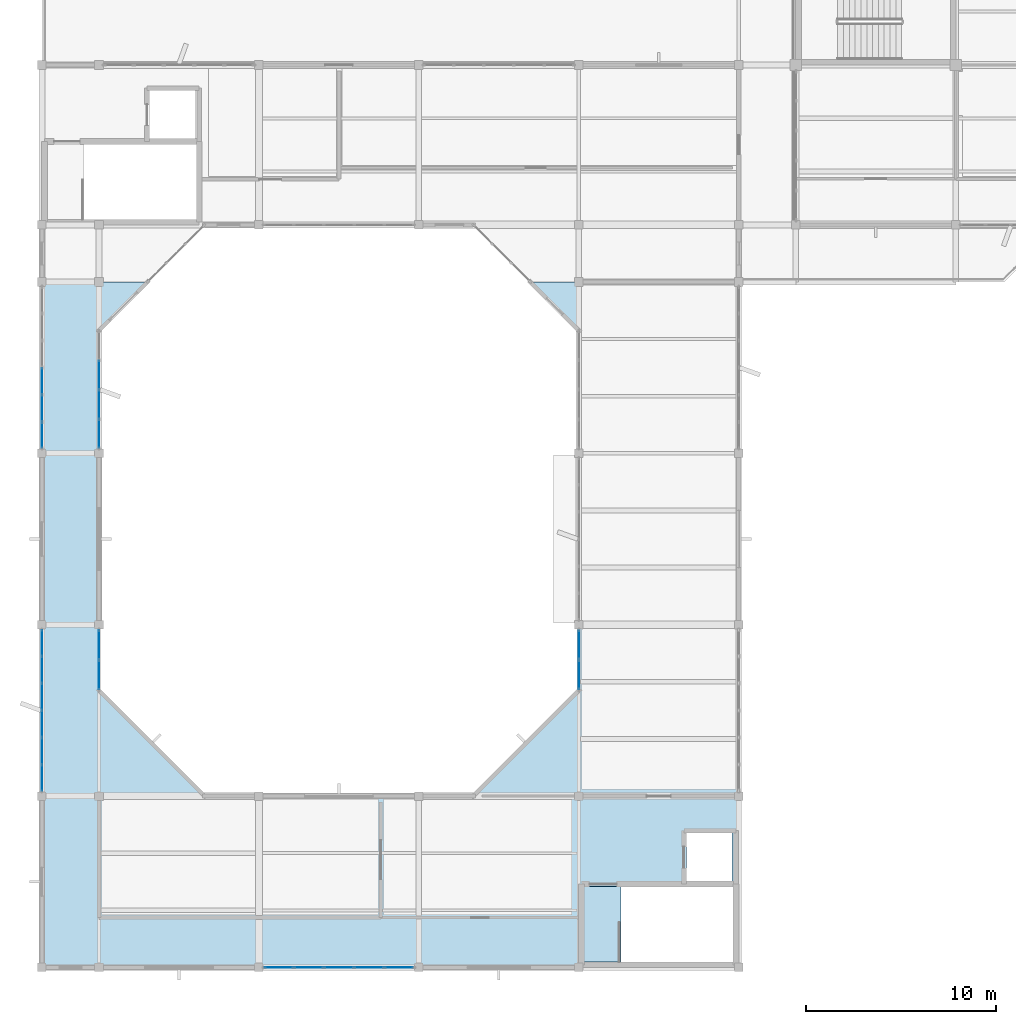
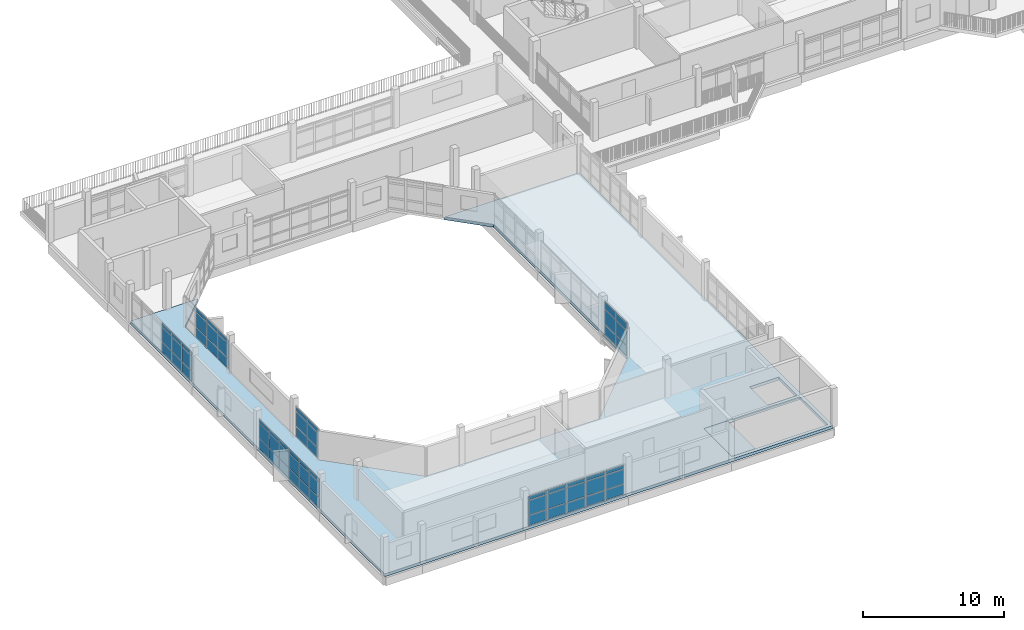
# One storey, part 15 of 33: 63 plates, 2 slabs, 6 elements without a shape of their own.
"""IFC4 building model written with IfcOpenShell, lengths in metres."""

from ifc_helpers import new_model, si_unit, direction, frame, origin, origin_2d, place, context, subcontext, project, spatial, polyline, rectangle, outline, extrude, material, layer, layer_set, type_object, element, aggregate, save


model = new_model("IFC4")

# Units and contexts
model_context = context("Model", 3, precision=1e-05, world=origin(), true_north=direction((0.0, 1.0)))
body_context = subcontext(model_context, "Body", "Model", "MODEL_VIEW")
ifc_project = project(units=[si_unit("LENGTHUNIT", "METRE"), si_unit("AREAUNIT", "SQUARE_METRE"), si_unit("VOLUMEUNIT", "CUBIC_METRE"), si_unit("PLANEANGLEUNIT", "RADIAN"), si_unit("MASSUNIT", "GRAM", prefix="KILO")], contexts=[model_context])

# Site, building, storey
site_placement = place(None, origin())
site = spatial("IfcSite", under=ifc_project, at=site_placement, CompositionType="ELEMENT")
building_placement = place(site_placement, origin())
building = spatial("IfcBuilding", under=site, at=building_placement, Name="Vanh Quang Courtyard School", CompositionType="ELEMENT")
storey_placement = place(building_placement, frame((0.0, 0.0, 18.60009765625)))
storey = spatial("IfcBuildingStorey", under=building, at=storey_placement, Name="L05", CompositionType="ELEMENT", Elevation=18.60009765625)

# Curtain wall, plates
ifc_material_1 = material(Name="Thermally broken aluminium unitised curtain wall", Category="aluminium")
curtain_wall_type_1 = type_object("IfcCurtainWallType", Name="CW-SYS-50", PredefinedType="NOTDEFINED", material=ifc_material_1)
curtain_wall_1_placement = place(storey_placement, origin())
curtain_wall_1 = element("IfcCurtainWall", 1, at=curtain_wall_1_placement, inside=storey, type_object=curtain_wall_type_1, Name="Curtain Wall CW-50 (L05)", PredefinedType="NOTDEFINED")
ifc_material_2 = material(Name="Low-E laminated double glazing", Category="glass")
ifc_layer_1 = layer(ifc_material_2, 0.028076171875)
ifc_layer_set_1 = layer_set([ifc_layer_1], Name="Low-E laminated double glazing")
plate_type_1 = type_object("IfcPlateType", Name="CW-PNL-28", PredefinedType="CURTAIN_PANEL", material=ifc_layer_set_1)
plate_1_placement = place(storey_placement, frame((37.800048828125, 42.359130859375, 0.06005859375), z_axis=(0.0, 0.0, 1.0), x_axis=(0.0, 1.0, 0.0)))
plate_1 = element("IfcPlate", 2, at=plate_1_placement, type_object=plate_type_1, Name="CW-50 panel 1.1", PredefinedType="CURTAIN_PANEL", context=body_context, shape_type="SweptSolid", body=[
    extrude(rectangle(XDim=1.332275390625, YDim=0.028076171875, at=origin_2d()), origin(), (0.0, 0.0, 1.0), 0.860107421875),
])
plate_2_placement = place(storey_placement, frame((37.800048828125, 42.359130859375, 0.97998046875), z_axis=(0.0, 0.0, 1.0), x_axis=(0.0, 1.0, 0.0)))
plate_2 = element("IfcPlate", 3, at=plate_2_placement, type_object=plate_type_1, Name="CW-50 panel 1.2", PredefinedType="CURTAIN_PANEL", context=body_context, shape_type="SweptSolid", body=[
    extrude(rectangle(XDim=1.332275390625, YDim=0.028076171875, at=origin_2d()), origin(), (0.0, 0.0, 1.0), 1.239990234375),
])
plate_3_placement = place(storey_placement, frame((37.800048828125, 42.359130859375, 2.27978515625), z_axis=(0.0, 0.0, 1.0), x_axis=(0.0, 1.0, 0.0)))
plate_3 = element("IfcPlate", 4, at=plate_3_placement, type_object=plate_type_1, Name="CW-50 panel 1.3", PredefinedType="CURTAIN_PANEL", context=body_context, shape_type="SweptSolid", body=[
    extrude(rectangle(XDim=1.332275390625, YDim=0.028076171875, at=origin_2d()), origin(), (0.0, 0.0, 1.0), 0.31005859375),
])
plate_4_placement = place(storey_placement, frame((37.800048828125, 43.7666015625, 0.06005859375), z_axis=(0.0, 0.0, 1.0), x_axis=(0.0, 1.0, 0.0)))
plate_4 = element("IfcPlate", 5, at=plate_4_placement, type_object=plate_type_1, Name="CW-50 panel 2.1", PredefinedType="CURTAIN_PANEL", context=body_context, shape_type="SweptSolid", body=[
    extrude(rectangle(XDim=1.3623046875, YDim=0.028076171875, at=origin_2d()), origin(), (0.0, 0.0, 1.0), 0.860107421875),
])
plate_5_placement = place(storey_placement, frame((37.800048828125, 43.7666015625, 0.97998046875), z_axis=(0.0, 0.0, 1.0), x_axis=(0.0, 1.0, 0.0)))
plate_5 = element("IfcPlate", 6, at=plate_5_placement, type_object=plate_type_1, Name="CW-50 panel 2.2", PredefinedType="CURTAIN_PANEL", context=body_context, shape_type="SweptSolid", body=[
    extrude(rectangle(XDim=1.3623046875, YDim=0.028076171875, at=origin_2d()), origin(), (0.0, 0.0, 1.0), 1.239990234375),
])
plate_6_placement = place(storey_placement, frame((37.800048828125, 43.7666015625, 2.27978515625), z_axis=(0.0, 0.0, 1.0), x_axis=(0.0, 1.0, 0.0)))
plate_6 = element("IfcPlate", 7, at=plate_6_placement, type_object=plate_type_1, Name="CW-50 panel 2.3", PredefinedType="CURTAIN_PANEL", context=body_context, shape_type="SweptSolid", body=[
    extrude(rectangle(XDim=1.3623046875, YDim=0.028076171875, at=origin_2d()), origin(), (0.0, 0.0, 1.0), 0.31005859375),
])
plate_7_placement = place(storey_placement, frame((37.800048828125, 45.188720703125, 0.06005859375), z_axis=(0.0, 0.0, 1.0), x_axis=(0.0, 1.0, 0.0)))
plate_7 = element("IfcPlate", 8, at=plate_7_placement, type_object=plate_type_1, Name="CW-50 panel 3.1", PredefinedType="CURTAIN_PANEL", context=body_context, shape_type="SweptSolid", body=[
    extrude(rectangle(XDim=1.3623046875, YDim=0.028076171875, at=origin_2d()), origin(), (0.0, 0.0, 1.0), 0.860107421875),
])
plate_8_placement = place(storey_placement, frame((37.800048828125, 45.188720703125, 0.97998046875), z_axis=(0.0, 0.0, 1.0), x_axis=(0.0, 1.0, 0.0)))
plate_8 = element("IfcPlate", 9, at=plate_8_placement, type_object=plate_type_1, Name="CW-50 panel 3.2", PredefinedType="CURTAIN_PANEL", context=body_context, shape_type="SweptSolid", body=[
    extrude(rectangle(XDim=1.3623046875, YDim=0.028076171875, at=origin_2d()), origin(), (0.0, 0.0, 1.0), 1.239990234375),
])
plate_9_placement = place(storey_placement, frame((37.800048828125, 45.188720703125, 2.27978515625), z_axis=(0.0, 0.0, 1.0), x_axis=(0.0, 1.0, 0.0)))
plate_9 = element("IfcPlate", 10, at=plate_9_placement, type_object=plate_type_1, Name="CW-50 panel 3.3", PredefinedType="CURTAIN_PANEL", context=body_context, shape_type="SweptSolid", body=[
    extrude(rectangle(XDim=1.3623046875, YDim=0.028076171875, at=origin_2d()), origin(), (0.0, 0.0, 1.0), 0.31005859375),
])
plate_10_placement = place(storey_placement, frame((37.800048828125, 46.611083984375, 0.06005859375), z_axis=(0.0, 0.0, 1.0), x_axis=(0.0, 1.0, 0.0)))
plate_10 = element("IfcPlate", 11, at=plate_10_placement, type_object=plate_type_1, Name="CW-50 panel 4.1", PredefinedType="CURTAIN_PANEL", context=body_context, shape_type="SweptSolid", body=[
    extrude(rectangle(XDim=1.3623046875, YDim=0.028076171875, at=origin_2d()), origin(), (0.0, 0.0, 1.0), 0.860107421875),
])
plate_11_placement = place(storey_placement, frame((37.800048828125, 46.611083984375, 0.97998046875), z_axis=(0.0, 0.0, 1.0), x_axis=(0.0, 1.0, 0.0)))
plate_11 = element("IfcPlate", 12, at=plate_11_placement, type_object=plate_type_1, Name="CW-50 panel 4.2", PredefinedType="CURTAIN_PANEL", context=body_context, shape_type="SweptSolid", body=[
    extrude(rectangle(XDim=1.3623046875, YDim=0.028076171875, at=origin_2d()), origin(), (0.0, 0.0, 1.0), 1.239990234375),
])
plate_12_placement = place(storey_placement, frame((37.800048828125, 46.611083984375, 2.27978515625), z_axis=(0.0, 0.0, 1.0), x_axis=(0.0, 1.0, 0.0)))
plate_12 = element("IfcPlate", 13, at=plate_12_placement, type_object=plate_type_1, Name="CW-50 panel 4.3", PredefinedType="CURTAIN_PANEL", context=body_context, shape_type="SweptSolid", body=[
    extrude(rectangle(XDim=1.3623046875, YDim=0.028076171875, at=origin_2d()), origin(), (0.0, 0.0, 1.0), 0.31005859375),
])
plate_13_placement = place(storey_placement, frame((37.800048828125, 48.033447265625, 0.06005859375), z_axis=(0.0, 0.0, 1.0), x_axis=(0.0, 1.0, 0.0)))
plate_13 = element("IfcPlate", 14, at=plate_13_placement, type_object=plate_type_1, Name="CW-50 panel 5.1", PredefinedType="CURTAIN_PANEL", context=body_context, shape_type="SweptSolid", body=[
    extrude(rectangle(XDim=1.3623046875, YDim=0.028076171875, at=origin_2d()), origin(), (0.0, 0.0, 1.0), 0.860107421875),
])
plate_14_placement = place(storey_placement, frame((37.800048828125, 48.033447265625, 0.97998046875), z_axis=(0.0, 0.0, 1.0), x_axis=(0.0, 1.0, 0.0)))
plate_14 = element("IfcPlate", 15, at=plate_14_placement, type_object=plate_type_1, Name="CW-50 panel 5.2", PredefinedType="CURTAIN_PANEL", context=body_context, shape_type="SweptSolid", body=[
    extrude(rectangle(XDim=1.3623046875, YDim=0.028076171875, at=origin_2d()), origin(), (0.0, 0.0, 1.0), 1.239990234375),
])
plate_15_placement = place(storey_placement, frame((37.800048828125, 48.033447265625, 2.27978515625), z_axis=(0.0, 0.0, 1.0), x_axis=(0.0, 1.0, 0.0)))
plate_15 = element("IfcPlate", 16, at=plate_15_placement, type_object=plate_type_1, Name="CW-50 panel 5.3", PredefinedType="CURTAIN_PANEL", context=body_context, shape_type="SweptSolid", body=[
    extrude(rectangle(XDim=1.3623046875, YDim=0.028076171875, at=origin_2d()), origin(), (0.0, 0.0, 1.0), 0.31005859375),
])
plate_16_placement = place(storey_placement, frame((37.800048828125, 49.44091796875, 0.06005859375), z_axis=(0.0, 0.0, 1.0), x_axis=(0.0, 1.0, 0.0)))
plate_16 = element("IfcPlate", 17, at=plate_16_placement, type_object=plate_type_1, Name="CW-50 panel 6.1", PredefinedType="CURTAIN_PANEL", context=body_context, shape_type="SweptSolid", body=[
    extrude(rectangle(XDim=1.332275390625, YDim=0.028076171875, at=origin_2d()), origin(), (0.0, 0.0, 1.0), 0.860107421875),
])
plate_17_placement = place(storey_placement, frame((37.800048828125, 49.44091796875, 0.97998046875), z_axis=(0.0, 0.0, 1.0), x_axis=(0.0, 1.0, 0.0)))
plate_17 = element("IfcPlate", 18, at=plate_17_placement, type_object=plate_type_1, Name="CW-50 panel 6.2", PredefinedType="CURTAIN_PANEL", context=body_context, shape_type="SweptSolid", body=[
    extrude(rectangle(XDim=1.332275390625, YDim=0.028076171875, at=origin_2d()), origin(), (0.0, 0.0, 1.0), 1.239990234375),
])
plate_18_placement = place(storey_placement, frame((37.800048828125, 49.44091796875, 2.27978515625), z_axis=(0.0, 0.0, 1.0), x_axis=(0.0, 1.0, 0.0)))
plate_18 = element("IfcPlate", 19, at=plate_18_placement, type_object=plate_type_1, Name="CW-50 panel 6.3", PredefinedType="CURTAIN_PANEL", context=body_context, shape_type="SweptSolid", body=[
    extrude(rectangle(XDim=1.332275390625, YDim=0.028076171875, at=origin_2d()), origin(), (0.0, 0.0, 1.0), 0.31005859375),
])
aggregate(curtain_wall_1, [plate_1, plate_2, plate_3, plate_4, plate_5, plate_6, plate_7, plate_8, plate_9, plate_10, plate_11, plate_12, plate_13, plate_14, plate_15, plate_16, plate_17, plate_18])

curtain_wall_type_2 = type_object("IfcCurtainWallType", Name="CW-SYS-44", PredefinedType="NOTDEFINED", material=ifc_material_1)
curtain_wall_2_placement = place(storey_placement, origin())
curtain_wall_2 = element("IfcCurtainWall", 20, at=curtain_wall_2_placement, inside=storey, type_object=curtain_wall_type_2, Name="Curtain Wall CW-44 (L05)", PredefinedType="NOTDEFINED")
plate_19_placement = place(storey_placement, frame((40.800048828125, 63.5224609375, 0.06005859375), z_axis=(0.0, 0.0, 1.0), x_axis=(0.0, -1.0, 0.0)))
plate_19 = element("IfcPlate", 21, at=plate_19_placement, type_object=plate_type_1, Name="CW-44 panel 2.1", PredefinedType="CURTAIN_PANEL", context=body_context, shape_type="SweptSolid", body=[
    extrude(rectangle(XDim=1.495849609375, YDim=0.028076171875, at=origin_2d()), origin(), (0.0, 0.0, 1.0), 0.860107421875),
])
plate_20_placement = place(storey_placement, frame((40.800048828125, 63.5224609375, 0.97998046875), z_axis=(0.0, 0.0, 1.0), x_axis=(0.0, -1.0, 0.0)))
plate_20 = element("IfcPlate", 22, at=plate_20_placement, type_object=plate_type_1, Name="CW-44 panel 2.2", PredefinedType="CURTAIN_PANEL", context=body_context, shape_type="SweptSolid", body=[
    extrude(rectangle(XDim=1.495849609375, YDim=0.028076171875, at=origin_2d()), origin(), (0.0, 0.0, 1.0), 1.239990234375),
])
plate_21_placement = place(storey_placement, frame((40.800048828125, 63.5224609375, 2.27978515625), z_axis=(0.0, 0.0, 1.0), x_axis=(0.0, -1.0, 0.0)))
plate_21 = element("IfcPlate", 23, at=plate_21_placement, type_object=plate_type_1, Name="CW-44 panel 2.3", PredefinedType="CURTAIN_PANEL", context=body_context, shape_type="SweptSolid", body=[
    extrude(rectangle(XDim=1.495849609375, YDim=0.028076171875, at=origin_2d()), origin(), (0.0, 0.0, 1.0), 0.31005859375),
])
plate_22_placement = place(storey_placement, frame((40.800048828125, 61.966552734375, 0.06005859375), z_axis=(0.0, 0.0, 1.0), x_axis=(0.0, -1.0, 0.0)))
plate_22 = element("IfcPlate", 24, at=plate_22_placement, type_object=plate_type_1, Name="CW-44 panel 3.1", PredefinedType="CURTAIN_PANEL", context=body_context, shape_type="SweptSolid", body=[
    extrude(rectangle(XDim=1.495849609375, YDim=0.028076171875, at=origin_2d()), origin(), (0.0, 0.0, 1.0), 0.860107421875),
])
plate_23_placement = place(storey_placement, frame((40.800048828125, 61.966552734375, 0.97998046875), z_axis=(0.0, 0.0, 1.0), x_axis=(0.0, -1.0, 0.0)))
plate_23 = element("IfcPlate", 25, at=plate_23_placement, type_object=plate_type_1, Name="CW-44 panel 3.2", PredefinedType="CURTAIN_PANEL", context=body_context, shape_type="SweptSolid", body=[
    extrude(rectangle(XDim=1.495849609375, YDim=0.028076171875, at=origin_2d()), origin(), (0.0, 0.0, 1.0), 1.239990234375),
])
plate_24_placement = place(storey_placement, frame((40.800048828125, 61.966552734375, 2.27978515625), z_axis=(0.0, 0.0, 1.0), x_axis=(0.0, -1.0, 0.0)))
plate_24 = element("IfcPlate", 26, at=plate_24_placement, type_object=plate_type_1, Name="CW-44 panel 3.3", PredefinedType="CURTAIN_PANEL", context=body_context, shape_type="SweptSolid", body=[
    extrude(rectangle(XDim=1.495849609375, YDim=0.028076171875, at=origin_2d()), origin(), (0.0, 0.0, 1.0), 0.31005859375),
])
plate_25_placement = place(storey_placement, frame((40.800048828125, 60.42578125, 0.06005859375), z_axis=(0.0, 0.0, 1.0), x_axis=(0.0, -1.0, 0.0)))
plate_25 = element("IfcPlate", 27, at=plate_25_placement, type_object=plate_type_1, Name="CW-44 panel 4.1", PredefinedType="CURTAIN_PANEL", context=body_context, shape_type="SweptSolid", body=[
    extrude(rectangle(XDim=1.4658203125, YDim=0.028076171875, at=origin_2d()), origin(), (0.0, 0.0, 1.0), 0.860107421875),
])
plate_26_placement = place(storey_placement, frame((40.800048828125, 60.42578125, 0.97998046875), z_axis=(0.0, 0.0, 1.0), x_axis=(0.0, -1.0, 0.0)))
plate_26 = element("IfcPlate", 28, at=plate_26_placement, type_object=plate_type_1, Name="CW-44 panel 4.2", PredefinedType="CURTAIN_PANEL", context=body_context, shape_type="SweptSolid", body=[
    extrude(rectangle(XDim=1.4658203125, YDim=0.028076171875, at=origin_2d()), origin(), (0.0, 0.0, 1.0), 1.239990234375),
])
plate_27_placement = place(storey_placement, frame((40.800048828125, 60.42578125, 2.27978515625), z_axis=(0.0, 0.0, 1.0), x_axis=(0.0, -1.0, 0.0)))
plate_27 = element("IfcPlate", 29, at=plate_27_placement, type_object=plate_type_1, Name="CW-44 panel 4.3", PredefinedType="CURTAIN_PANEL", context=body_context, shape_type="SweptSolid", body=[
    extrude(rectangle(XDim=1.4658203125, YDim=0.028076171875, at=origin_2d()), origin(), (0.0, 0.0, 1.0), 0.31005859375),
])
aggregate(curtain_wall_2, [plate_19, plate_20, plate_21, plate_22, plate_23, plate_24, plate_25, plate_26, plate_27])

curtain_wall_type_3 = type_object("IfcCurtainWallType", Name="CW-SYS-53", PredefinedType="NOTDEFINED", material=ifc_material_1)
curtain_wall_3_placement = place(storey_placement, origin())
curtain_wall_3 = element("IfcCurtainWall", 30, at=curtain_wall_3_placement, inside=storey, type_object=curtain_wall_type_3, Name="Curtain Wall CW-53 (L05)", PredefinedType="NOTDEFINED")
plate_28_placement = place(storey_placement, frame((66.0, 47.769775390625, 0.079833984375), z_axis=(0.0, 0.0, 1.0), x_axis=(0.0, 1.0, 0.0)))
plate_28 = element("IfcPlate", 31, at=plate_28_placement, type_object=plate_type_1, Name="CW-53 panel 1.1", PredefinedType="CURTAIN_PANEL", context=body_context, shape_type="SweptSolid", body=[
    extrude(rectangle(XDim=1.491455078125, YDim=0.028076171875, at=origin_2d()), origin(), (0.0, 0.0, 1.0), 0.830078125),
])
plate_29_placement = place(storey_placement, frame((66.0, 47.769775390625, 0.98974609375), z_axis=(0.0, 0.0, 1.0), x_axis=(0.0, 1.0, 0.0)))
plate_29 = element("IfcPlate", 32, at=plate_29_placement, type_object=plate_type_1, Name="CW-53 panel 1.2", PredefinedType="CURTAIN_PANEL", context=body_context, shape_type="SweptSolid", body=[
    extrude(rectangle(XDim=1.491455078125, YDim=0.028076171875, at=origin_2d()), origin(), (0.0, 0.0, 1.0), 1.219970703125),
])
plate_30_placement = place(storey_placement, frame((66.0, 47.769775390625, 2.289794921875), z_axis=(0.0, 0.0, 1.0), x_axis=(0.0, 1.0, 0.0)))
plate_30 = element("IfcPlate", 33, at=plate_30_placement, type_object=plate_type_1, Name="CW-53 panel 1.3", PredefinedType="CURTAIN_PANEL", context=body_context, shape_type="SweptSolid", body=[
    extrude(rectangle(XDim=1.491455078125, YDim=0.028076171875, at=origin_2d()), origin(), (0.0, 0.0, 1.0), 0.6201171875),
])
plate_31_placement = place(storey_placement, frame((66.0, 49.34130859375, 0.079833984375), z_axis=(0.0, 0.0, 1.0), x_axis=(0.0, 1.0, 0.0)))
plate_31 = element("IfcPlate", 34, at=plate_31_placement, type_object=plate_type_1, Name="CW-53 panel 2.1", PredefinedType="CURTAIN_PANEL", context=body_context, shape_type="SweptSolid", body=[
    extrude(rectangle(XDim=1.491455078125, YDim=0.028076171875, at=origin_2d()), origin(), (0.0, 0.0, 1.0), 0.830078125),
])
plate_32_placement = place(storey_placement, frame((66.0, 49.34130859375, 0.98974609375), z_axis=(0.0, 0.0, 1.0), x_axis=(0.0, 1.0, 0.0)))
plate_32 = element("IfcPlate", 35, at=plate_32_placement, type_object=plate_type_1, Name="CW-53 panel 2.2", PredefinedType="CURTAIN_PANEL", context=body_context, shape_type="SweptSolid", body=[
    extrude(rectangle(XDim=1.491455078125, YDim=0.028076171875, at=origin_2d()), origin(), (0.0, 0.0, 1.0), 1.219970703125),
])
plate_33_placement = place(storey_placement, frame((66.0, 49.34130859375, 2.289794921875), z_axis=(0.0, 0.0, 1.0), x_axis=(0.0, 1.0, 0.0)))
plate_33 = element("IfcPlate", 36, at=plate_33_placement, type_object=plate_type_1, Name="CW-53 panel 2.3", PredefinedType="CURTAIN_PANEL", context=body_context, shape_type="SweptSolid", body=[
    extrude(rectangle(XDim=1.491455078125, YDim=0.028076171875, at=origin_2d()), origin(), (0.0, 0.0, 1.0), 0.6201171875),
])
aggregate(curtain_wall_3, [plate_28, plate_29, plate_30, plate_31, plate_32, plate_33])

curtain_wall_type_4 = type_object("IfcCurtainWallType", Name="CW-SYS-19", PredefinedType="NOTDEFINED", material=ifc_material_1)
curtain_wall_4_placement = place(storey_placement, origin())
curtain_wall_4 = element("IfcCurtainWall", 37, at=curtain_wall_4_placement, inside=storey, type_object=curtain_wall_type_4, Name="Curtain Wall CW-19 (L05)", PredefinedType="NOTDEFINED")
ifc_layer_2 = layer(ifc_material_2, 0.031982421875)
ifc_layer_set_2 = layer_set([ifc_layer_2], Name="Low-E laminated double glazing")
plate_type_2 = type_object("IfcPlateType", Name="CW-PNL-32", PredefinedType="CURTAIN_PANEL", material=ifc_layer_set_2)
plate_34_placement = place(storey_placement, frame((56.5537109375, 32.39990234375, 0.079833984375), z_axis=(0.0, 0.0, 1.0), x_axis=(-1.0, 0.0, 0.0)))
plate_34 = element("IfcPlate", 38, at=plate_34_placement, type_object=plate_type_2, Name="CW-19 panel 1.1", PredefinedType="CURTAIN_PANEL", context=body_context, shape_type="SweptSolid", body=[
    extrude(rectangle(XDim=1.466796875, YDim=0.031982421875, at=origin_2d()), origin(), (0.0, 0.0, 1.0), 0.830078125),
])
plate_35_placement = place(storey_placement, frame((56.5537109375, 32.39990234375, 0.98974609375), z_axis=(0.0, 0.0, 1.0), x_axis=(-1.0, 0.0, 0.0)))
plate_35 = element("IfcPlate", 39, at=plate_35_placement, type_object=plate_type_2, Name="CW-19 panel 1.2", PredefinedType="CURTAIN_PANEL", context=body_context, shape_type="SweptSolid", body=[
    extrude(rectangle(XDim=1.466796875, YDim=0.031982421875, at=origin_2d()), origin(), (0.0, 0.0, 1.0), 1.219970703125),
])
plate_36_placement = place(storey_placement, frame((56.5537109375, 32.39990234375, 2.2900390625), z_axis=(0.0, 0.0, 1.0), x_axis=(-1.0, 0.0, 0.0)))
plate_36 = element("IfcPlate", 40, at=plate_36_placement, type_object=plate_type_2, Name="CW-19 panel 1.3", PredefinedType="CURTAIN_PANEL", context=body_context, shape_type="SweptSolid", body=[
    extrude(rectangle(XDim=1.466796875, YDim=0.031982421875, at=origin_2d()), origin(), (0.0, 0.0, 1.0), 0.280029296875),
])
plate_37_placement = place(storey_placement, frame((54.98681640625, 32.39990234375, 0.079833984375), z_axis=(0.0, 0.0, 1.0), x_axis=(-1.0, 0.0, 0.0)))
plate_37 = element("IfcPlate", 41, at=plate_37_placement, type_object=plate_type_2, Name="CW-19 panel 2.1", PredefinedType="CURTAIN_PANEL", context=body_context, shape_type="SweptSolid", body=[
    extrude(rectangle(XDim=1.5068359375, YDim=0.031982421875, at=origin_2d()), origin(), (0.0, 0.0, 1.0), 0.830078125),
])
plate_38_placement = place(storey_placement, frame((54.98681640625, 32.39990234375, 0.98974609375), z_axis=(0.0, 0.0, 1.0), x_axis=(-1.0, 0.0, 0.0)))
plate_38 = element("IfcPlate", 42, at=plate_38_placement, type_object=plate_type_2, Name="CW-19 panel 2.2", PredefinedType="CURTAIN_PANEL", context=body_context, shape_type="SweptSolid", body=[
    extrude(rectangle(XDim=1.5068359375, YDim=0.031982421875, at=origin_2d()), origin(), (0.0, 0.0, 1.0), 1.219970703125),
])
plate_39_placement = place(storey_placement, frame((54.98681640625, 32.39990234375, 2.2900390625), z_axis=(0.0, 0.0, 1.0), x_axis=(-1.0, 0.0, 0.0)))
plate_39 = element("IfcPlate", 43, at=plate_39_placement, type_object=plate_type_2, Name="CW-19 panel 2.3", PredefinedType="CURTAIN_PANEL", context=body_context, shape_type="SweptSolid", body=[
    extrude(rectangle(XDim=1.5068359375, YDim=0.031982421875, at=origin_2d()), origin(), (0.0, 0.0, 1.0), 0.280029296875),
])
plate_40_placement = place(storey_placement, frame((53.39990234375, 32.39990234375, 0.079833984375), z_axis=(0.0, 0.0, 1.0), x_axis=(-1.0, 0.0, 0.0)))
plate_40 = element("IfcPlate", 44, at=plate_40_placement, type_object=plate_type_2, Name="CW-19 panel 3.1", PredefinedType="CURTAIN_PANEL", context=body_context, shape_type="SweptSolid", body=[
    extrude(rectangle(XDim=1.5068359375, YDim=0.031982421875, at=origin_2d()), origin(), (0.0, 0.0, 1.0), 0.830078125),
])
plate_41_placement = place(storey_placement, frame((53.39990234375, 32.39990234375, 0.98974609375), z_axis=(0.0, 0.0, 1.0), x_axis=(-1.0, 0.0, 0.0)))
plate_41 = element("IfcPlate", 45, at=plate_41_placement, type_object=plate_type_2, Name="CW-19 panel 3.2", PredefinedType="CURTAIN_PANEL", context=body_context, shape_type="SweptSolid", body=[
    extrude(rectangle(XDim=1.5068359375, YDim=0.031982421875, at=origin_2d()), origin(), (0.0, 0.0, 1.0), 1.219970703125),
])
plate_42_placement = place(storey_placement, frame((53.39990234375, 32.39990234375, 2.2900390625), z_axis=(0.0, 0.0, 1.0), x_axis=(-1.0, 0.0, 0.0)))
plate_42 = element("IfcPlate", 46, at=plate_42_placement, type_object=plate_type_2, Name="CW-19 panel 3.3", PredefinedType="CURTAIN_PANEL", context=body_context, shape_type="SweptSolid", body=[
    extrude(rectangle(XDim=1.5068359375, YDim=0.031982421875, at=origin_2d()), origin(), (0.0, 0.0, 1.0), 0.280029296875),
])
plate_43_placement = place(storey_placement, frame((51.813232421875, 32.39990234375, 0.079833984375), z_axis=(0.0, 0.0, 1.0), x_axis=(-1.0, 0.0, 0.0)))
plate_43 = element("IfcPlate", 47, at=plate_43_placement, type_object=plate_type_2, Name="CW-19 panel 4.1", PredefinedType="CURTAIN_PANEL", context=body_context, shape_type="SweptSolid", body=[
    extrude(rectangle(XDim=1.5068359375, YDim=0.031982421875, at=origin_2d()), origin(), (0.0, 0.0, 1.0), 0.830078125),
])
plate_44_placement = place(storey_placement, frame((51.813232421875, 32.39990234375, 0.98974609375), z_axis=(0.0, 0.0, 1.0), x_axis=(-1.0, 0.0, 0.0)))
plate_44 = element("IfcPlate", 48, at=plate_44_placement, type_object=plate_type_2, Name="CW-19 panel 4.2", PredefinedType="CURTAIN_PANEL", context=body_context, shape_type="SweptSolid", body=[
    extrude(rectangle(XDim=1.5068359375, YDim=0.031982421875, at=origin_2d()), origin(), (0.0, 0.0, 1.0), 1.219970703125),
])
plate_45_placement = place(storey_placement, frame((51.813232421875, 32.39990234375, 2.2900390625), z_axis=(0.0, 0.0, 1.0), x_axis=(-1.0, 0.0, 0.0)))
plate_45 = element("IfcPlate", 49, at=plate_45_placement, type_object=plate_type_2, Name="CW-19 panel 4.3", PredefinedType="CURTAIN_PANEL", context=body_context, shape_type="SweptSolid", body=[
    extrude(rectangle(XDim=1.5068359375, YDim=0.031982421875, at=origin_2d()), origin(), (0.0, 0.0, 1.0), 0.280029296875),
])
plate_46_placement = place(storey_placement, frame((50.246337890625, 32.39990234375, 0.079833984375), z_axis=(0.0, 0.0, 1.0), x_axis=(-1.0, 0.0, 0.0)))
plate_46 = element("IfcPlate", 50, at=plate_46_placement, type_object=plate_type_2, Name="CW-19 panel 5.1", PredefinedType="CURTAIN_PANEL", context=body_context, shape_type="SweptSolid", body=[
    extrude(rectangle(XDim=1.466796875, YDim=0.031982421875, at=origin_2d()), origin(), (0.0, 0.0, 1.0), 0.830078125),
])
plate_47_placement = place(storey_placement, frame((50.246337890625, 32.39990234375, 0.98974609375), z_axis=(0.0, 0.0, 1.0), x_axis=(-1.0, 0.0, 0.0)))
plate_47 = element("IfcPlate", 51, at=plate_47_placement, type_object=plate_type_2, Name="CW-19 panel 5.2", PredefinedType="CURTAIN_PANEL", context=body_context, shape_type="SweptSolid", body=[
    extrude(rectangle(XDim=1.466796875, YDim=0.031982421875, at=origin_2d()), origin(), (0.0, 0.0, 1.0), 1.219970703125),
])
plate_48_placement = place(storey_placement, frame((50.246337890625, 32.39990234375, 2.2900390625), z_axis=(0.0, 0.0, 1.0), x_axis=(-1.0, 0.0, 0.0)))
plate_48 = element("IfcPlate", 52, at=plate_48_placement, type_object=plate_type_2, Name="CW-19 panel 5.3", PredefinedType="CURTAIN_PANEL", context=body_context, shape_type="SweptSolid", body=[
    extrude(rectangle(XDim=1.466796875, YDim=0.031982421875, at=origin_2d()), origin(), (0.0, 0.0, 1.0), 0.280029296875),
])
aggregate(curtain_wall_4, [plate_34, plate_35, plate_36, plate_37, plate_38, plate_39, plate_40, plate_41, plate_42, plate_43, plate_44, plate_45, plate_46, plate_47, plate_48])

curtain_wall_5_placement = place(storey_placement, origin())
curtain_wall_5 = element("IfcCurtainWall", 53, at=curtain_wall_5_placement, inside=storey, type_object=curtain_wall_type_1, Name="Curtain Wall CW-50 (L05)", PredefinedType="NOTDEFINED")
plate_49_placement = place(storey_placement, frame((37.800048828125, 60.361572265625, 0.06982421875), z_axis=(0.0, 0.0, 1.0), x_axis=(0.0, 1.0, 0.0)))
plate_49 = element("IfcPlate", 54, at=plate_49_placement, type_object=plate_type_2, Name="CW-50 panel 1.1", PredefinedType="CURTAIN_PANEL", context=body_context, shape_type="SweptSolid", body=[
    extrude(rectangle(XDim=1.3173828125, YDim=0.031982421875, at=origin_2d()), origin(), (0.0, 0.0, 1.0), 0.844970703125),
])
plate_50_placement = place(storey_placement, frame((37.800048828125, 60.361572265625, 0.98486328125), z_axis=(0.0, 0.0, 1.0), x_axis=(0.0, 1.0, 0.0)))
plate_50 = element("IfcPlate", 55, at=plate_50_placement, type_object=plate_type_2, Name="CW-50 panel 1.2", PredefinedType="CURTAIN_PANEL", context=body_context, shape_type="SweptSolid", body=[
    extrude(rectangle(XDim=1.3173828125, YDim=0.031982421875, at=origin_2d()), origin(), (0.0, 0.0, 1.0), 1.22998046875),
])
plate_51_placement = place(storey_placement, frame((37.800048828125, 60.361572265625, 2.284912109375), z_axis=(0.0, 0.0, 1.0), x_axis=(0.0, 1.0, 0.0)))
plate_51 = element("IfcPlate", 56, at=plate_51_placement, type_object=plate_type_2, Name="CW-50 panel 1.3", PredefinedType="CURTAIN_PANEL", context=body_context, shape_type="SweptSolid", body=[
    extrude(rectangle(XDim=1.3173828125, YDim=0.031982421875, at=origin_2d()), origin(), (0.0, 0.0, 1.0), 0.294921875),
])
plate_52_placement = place(storey_placement, frame((37.800048828125, 61.7666015625, 0.06982421875), z_axis=(0.0, 0.0, 1.0), x_axis=(0.0, 1.0, 0.0)))
plate_52 = element("IfcPlate", 57, at=plate_52_placement, type_object=plate_type_2, Name="CW-50 panel 2.1", PredefinedType="CURTAIN_PANEL", context=body_context, shape_type="SweptSolid", body=[
    extrude(rectangle(XDim=1.352294921875, YDim=0.031982421875, at=origin_2d()), origin(), (0.0, 0.0, 1.0), 0.844970703125),
])
plate_53_placement = place(storey_placement, frame((37.800048828125, 61.7666015625, 0.98486328125), z_axis=(0.0, 0.0, 1.0), x_axis=(0.0, 1.0, 0.0)))
plate_53 = element("IfcPlate", 58, at=plate_53_placement, type_object=plate_type_2, Name="CW-50 panel 2.2", PredefinedType="CURTAIN_PANEL", context=body_context, shape_type="SweptSolid", body=[
    extrude(rectangle(XDim=1.352294921875, YDim=0.031982421875, at=origin_2d()), origin(), (0.0, 0.0, 1.0), 1.22998046875),
])
plate_54_placement = place(storey_placement, frame((37.800048828125, 61.7666015625, 2.284912109375), z_axis=(0.0, 0.0, 1.0), x_axis=(0.0, 1.0, 0.0)))
plate_54 = element("IfcPlate", 59, at=plate_54_placement, type_object=plate_type_2, Name="CW-50 panel 2.3", PredefinedType="CURTAIN_PANEL", context=body_context, shape_type="SweptSolid", body=[
    extrude(rectangle(XDim=1.352294921875, YDim=0.031982421875, at=origin_2d()), origin(), (0.0, 0.0, 1.0), 0.294921875),
])
plate_55_placement = place(storey_placement, frame((37.800048828125, 63.188720703125, 0.06982421875), z_axis=(0.0, 0.0, 1.0), x_axis=(0.0, 1.0, 0.0)))
plate_55 = element("IfcPlate", 60, at=plate_55_placement, type_object=plate_type_2, Name="CW-50 panel 3.1", PredefinedType="CURTAIN_PANEL", context=body_context, shape_type="SweptSolid", body=[
    extrude(rectangle(XDim=1.352294921875, YDim=0.031982421875, at=origin_2d()), origin(), (0.0, 0.0, 1.0), 0.844970703125),
])
plate_56_placement = place(storey_placement, frame((37.800048828125, 63.188720703125, 0.98486328125), z_axis=(0.0, 0.0, 1.0), x_axis=(0.0, 1.0, 0.0)))
plate_56 = element("IfcPlate", 61, at=plate_56_placement, type_object=plate_type_2, Name="CW-50 panel 3.2", PredefinedType="CURTAIN_PANEL", context=body_context, shape_type="SweptSolid", body=[
    extrude(rectangle(XDim=1.352294921875, YDim=0.031982421875, at=origin_2d()), origin(), (0.0, 0.0, 1.0), 1.22998046875),
])
plate_57_placement = place(storey_placement, frame((37.800048828125, 63.188720703125, 2.284912109375), z_axis=(0.0, 0.0, 1.0), x_axis=(0.0, 1.0, 0.0)))
plate_57 = element("IfcPlate", 62, at=plate_57_placement, type_object=plate_type_2, Name="CW-50 panel 3.3", PredefinedType="CURTAIN_PANEL", context=body_context, shape_type="SweptSolid", body=[
    extrude(rectangle(XDim=1.352294921875, YDim=0.031982421875, at=origin_2d()), origin(), (0.0, 0.0, 1.0), 0.294921875),
])
aggregate(curtain_wall_5, [plate_49, plate_50, plate_51, plate_52, plate_53, plate_54, plate_55, plate_56, plate_57])

curtain_wall_type_5 = type_object("IfcCurtainWallType", Name="CW-SYS-43", PredefinedType="NOTDEFINED", material=ifc_material_1)
curtain_wall_6_placement = place(storey_placement, origin())
curtain_wall_6 = element("IfcCurtainWall", 63, at=curtain_wall_6_placement, inside=storey, type_object=curtain_wall_type_5, Name="Curtain Wall CW-43 (L05)", PredefinedType="NOTDEFINED")
plate_58_placement = place(storey_placement, frame((40.800048828125, 49.34375, 0.06982421875), z_axis=(0.0, 0.0, 1.0), x_axis=(0.0, -1.0, 0.0)))
plate_58 = element("IfcPlate", 64, at=plate_58_placement, type_object=plate_type_2, Name="CW-43 panel 1.1", PredefinedType="CURTAIN_PANEL", context=body_context, shape_type="SweptSolid", body=[
    extrude(rectangle(XDim=1.506591796875, YDim=0.031982421875, at=origin_2d()), origin(), (0.0, 0.0, 1.0), 0.844970703125),
])
plate_59_placement = place(storey_placement, frame((40.800048828125, 49.34375, 0.98486328125), z_axis=(0.0, 0.0, 1.0), x_axis=(0.0, -1.0, 0.0)))
plate_59 = element("IfcPlate", 65, at=plate_59_placement, type_object=plate_type_2, Name="CW-43 panel 1.2", PredefinedType="CURTAIN_PANEL", context=body_context, shape_type="SweptSolid", body=[
    extrude(rectangle(XDim=1.506591796875, YDim=0.031982421875, at=origin_2d()), origin(), (0.0, 0.0, 1.0), 1.22998046875),
])
plate_60_placement = place(storey_placement, frame((40.800048828125, 49.34375, 2.28515625), z_axis=(0.0, 0.0, 1.0), x_axis=(0.0, -1.0, 0.0)))
plate_60 = element("IfcPlate", 66, at=plate_60_placement, type_object=plate_type_2, Name="CW-43 panel 1.3", PredefinedType="CURTAIN_PANEL", context=body_context, shape_type="SweptSolid", body=[
    extrude(rectangle(XDim=1.506591796875, YDim=0.031982421875, at=origin_2d()), origin(), (0.0, 0.0, 1.0), 0.344970703125),
])
plate_61_placement = place(storey_placement, frame((40.800048828125, 47.767333984375, 0.06982421875), z_axis=(0.0, 0.0, 1.0), x_axis=(0.0, -1.0, 0.0)))
plate_61 = element("IfcPlate", 67, at=plate_61_placement, type_object=plate_type_2, Name="CW-43 panel 2.1", PredefinedType="CURTAIN_PANEL", context=body_context, shape_type="SweptSolid", body=[
    extrude(rectangle(XDim=1.506591796875, YDim=0.031982421875, at=origin_2d()), origin(), (0.0, 0.0, 1.0), 0.844970703125),
])
plate_62_placement = place(storey_placement, frame((40.800048828125, 47.767333984375, 0.98486328125), z_axis=(0.0, 0.0, 1.0), x_axis=(0.0, -1.0, 0.0)))
plate_62 = element("IfcPlate", 68, at=plate_62_placement, type_object=plate_type_2, Name="CW-43 panel 2.2", PredefinedType="CURTAIN_PANEL", context=body_context, shape_type="SweptSolid", body=[
    extrude(rectangle(XDim=1.506591796875, YDim=0.031982421875, at=origin_2d()), origin(), (0.0, 0.0, 1.0), 1.22998046875),
])
plate_63_placement = place(storey_placement, frame((40.800048828125, 47.767333984375, 2.28515625), z_axis=(0.0, 0.0, 1.0), x_axis=(0.0, -1.0, 0.0)))
plate_63 = element("IfcPlate", 69, at=plate_63_placement, type_object=plate_type_2, Name="CW-43 panel 2.3", PredefinedType="CURTAIN_PANEL", context=body_context, shape_type="SweptSolid", body=[
    extrude(rectangle(XDim=1.506591796875, YDim=0.031982421875, at=origin_2d()), origin(), (0.0, 0.0, 1.0), 0.344970703125),
])
aggregate(curtain_wall_6, [plate_58, plate_59, plate_60, plate_61, plate_62, plate_63])

# Slabs
ifc_material_3 = material(Name="Concrete C30/37", Category="concrete")
ifc_layer_3 = layer(ifc_material_3, 0.25)
ifc_layer_set_3 = layer_set([ifc_layer_3], Name="Concrete C30/37")
slab_type_1 = type_object("IfcSlabType", Name="SLB-FLR-250", PredefinedType="FLOOR", material=ifc_layer_set_3)
slab_1_placement = place(storey_placement, frame((0.0, 0.0, -0.25)))
element("IfcSlab", 70, at=slab_1_placement, inside=storey, type_object=slab_type_1, Name="Slab SF-04 (L05)", PredefinedType="FLOOR", context=body_context, shape_type="SweptSolid", body=[
    extrude(outline(polyline([(63.4560546875, 68.39990234375), (66.0, 65.85595703125), (66.0, 46.944091796875), (60.4560546875, 41.39990234375), (46.343994140625, 41.39990234375), (40.800048828125, 46.944091796875), (40.800048828125, 65.85595703125), (43.343994140625, 68.39990234375), (37.800048828125, 68.39990234375), (37.800048828125, 32.39990234375), (74.39990234375, 32.39990234375), (74.39990234375, 68.39990234375), (63.4560546875, 68.39990234375)]), holes=[polyline([(74.1201171875, 36.639892578125), (74.1201171875, 32.679931640625), (66.280029296875, 32.679931640625), (66.280029296875, 36.639892578125), (74.1201171875, 36.639892578125)]), polyline([(74.050048828125, 36.919921875), (71.64990234375, 36.919921875), (71.64990234375, 39.469970703125), (74.050048828125, 39.469970703125), (74.050048828125, 36.919921875)])]), origin(), (0.0, 0.0, 1.0), 0.25),
])
ifc_layer_4 = layer(ifc_material_3, 0.280029296875)
ifc_layer_set_4 = layer_set([ifc_layer_4], Name="Concrete C30/37")
slab_type_2 = type_object("IfcSlabType", Name="SLB-FLR-280", PredefinedType="FLOOR", material=ifc_layer_set_4)
slab_2_placement = place(storey_placement, frame((0.0, 0.0, -0.280029296875)))
element("IfcSlab", 71, at=slab_2_placement, inside=storey, type_object=slab_type_2, Name="Slab SF-02 (L05)", PredefinedType="FLOOR", context=body_context, shape_type="SweptSolid", body=[
    extrude(outline(polyline([(68.2099609375, 32.679931640625), (66.280029296875, 32.679931640625), (66.280029296875, 36.639892578125), (68.2099609375, 36.639892578125), (68.2099609375, 32.679931640625)])), origin(), (0.0, 0.0, 1.0), 0.280029296875),
])

save(model, "model.ifc")
